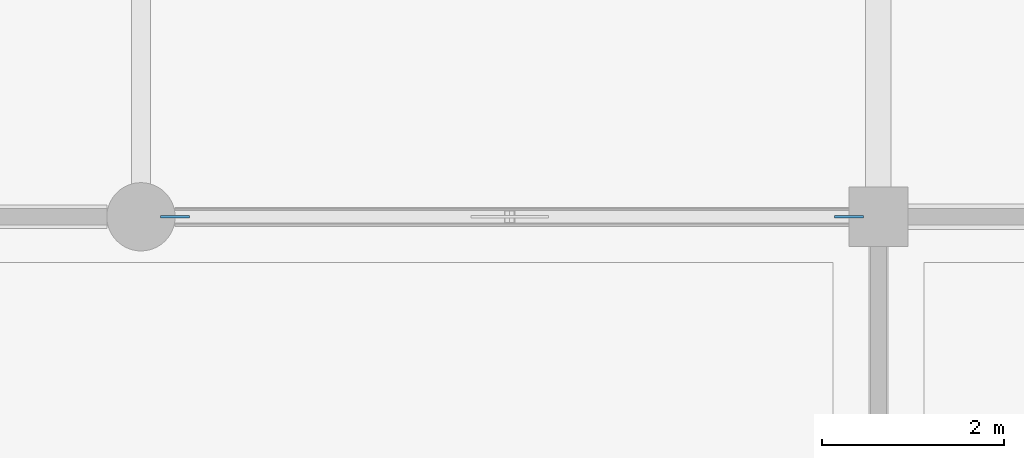
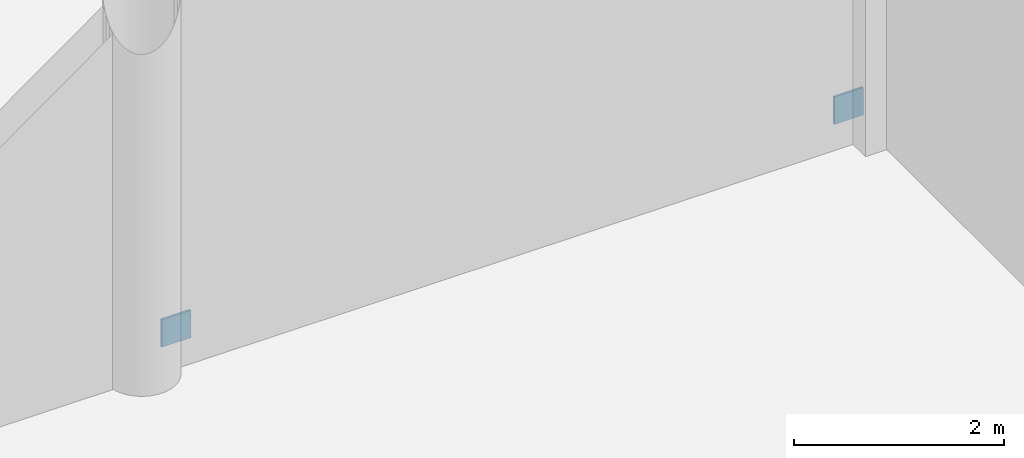
# One storey, part 77 of 99: 2 discrete accessories.
"""IFC4 building model written with IfcOpenShell, lengths in metres."""

from ifc_helpers import new_model, si_unit, direction, frame, origin, origin_2d, place, context, subcontext, project, spatial, rectangle, extrude, material, type_object, element, save


model = new_model("IFC4")

# Units and contexts
model_context = context("Model", 3, precision=1e-05, world=origin(), true_north=direction((0.0, 1.0)))
body_context = subcontext(model_context, "Body", "Model", "MODEL_VIEW")
ifc_project = project(units=[si_unit("LENGTHUNIT", "METRE"), si_unit("AREAUNIT", "SQUARE_METRE"), si_unit("VOLUMEUNIT", "CUBIC_METRE"), si_unit("PLANEANGLEUNIT", "RADIAN"), si_unit("MASSUNIT", "GRAM", prefix="KILO")], contexts=[model_context])

# Site, building, storey
site_placement = place(None, origin())
site = spatial("IfcSite", under=ifc_project, at=site_placement, CompositionType="ELEMENT")
building_placement = place(site_placement, origin())
building = spatial("IfcBuilding", under=site, at=building_placement, Name="Vaudrelin Polytechnic", CompositionType="ELEMENT")
storey_placement = place(building_placement, origin())
storey = spatial("IfcBuildingStorey", under=building, at=storey_placement, Name="L00", CompositionType="ELEMENT", Elevation=0.0)

# Discrete accessories
ifc_material = material(Name="Steel CSA G40.21 350WT", Category="steel")
discrete_accessory_type = type_object("IfcDiscreteAccessoryType", Name="ACC-CPL-01", PredefinedType="BRACKET", material=ifc_material)
for number, where, z_axis, x_axis, name in (
    (1, (57.074951171875, 24.300048828125, 0.23974609375), (0.0, 0.0, 1.0), (1.0, 0.0, 0.0), "Brace end connection plate CPL-009"),
    (2, (64.47509765625, 24.300048828125, 0.23974609375), (0.0, 0.0, 1.0), (1.0, 0.0, 0.0), "Brace end connection plate CPL-010"),
):
    element("IfcDiscreteAccessory", number, at=place(storey_placement, frame(where, z_axis=z_axis, x_axis=x_axis)), inside=storey, type_object=discrete_accessory_type, Name=name, PredefinedType="BRACKET", context=body_context, shape_type="SweptSolid", body=[
        extrude(rectangle(XDim=0.320068359375, YDim=0.02392578125, at=origin_2d()), origin(), (0.0, 0.0, 1.0), 0.320068359375),
    ])

save(model, "model.ifc")
